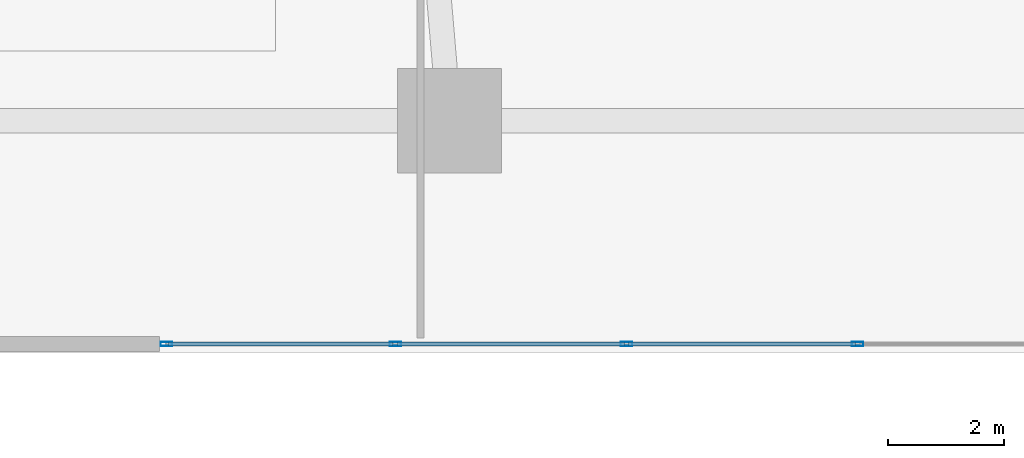
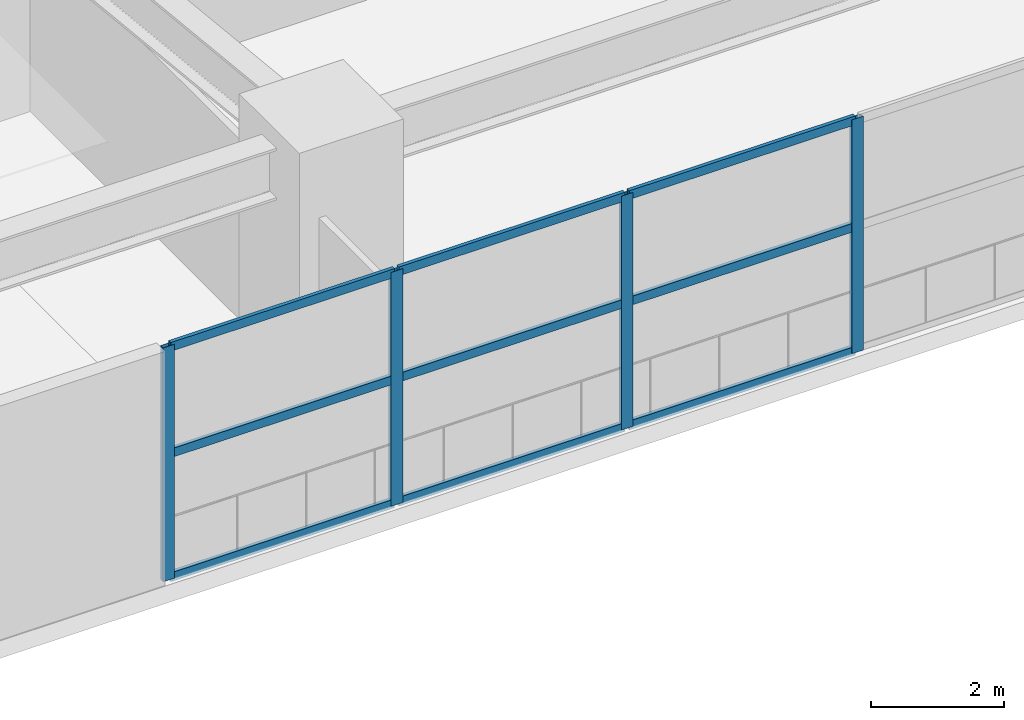
# One storey, part 2 of 20: 13 members, 1 element without a shape of its own.
"""IFC4 building model written with IfcOpenShell, lengths in metres."""

from ifc_helpers import new_model, si_unit, direction, frame, origin, origin_2d, place, context, subcontext, project, spatial, hollow_rectangle, extrude, material, layer, layer_set, material_profile, profile_set, type_object, element, aggregate, save


model = new_model("IFC4")

# Units and contexts
model_context = context("Model", 3, precision=1e-05, world=origin(), true_north=direction((0.0, 1.0)))
body_context = subcontext(model_context, "Body", "Model", "MODEL_VIEW")
ifc_project = project(units=[si_unit("LENGTHUNIT", "METRE"), si_unit("AREAUNIT", "SQUARE_METRE"), si_unit("VOLUMEUNIT", "CUBIC_METRE"), si_unit("PLANEANGLEUNIT", "RADIAN"), si_unit("MASSUNIT", "GRAM", prefix="KILO")], contexts=[model_context])

# Site, building, storey
site_placement = place(None, origin())
site = spatial("IfcSite", under=ifc_project, at=site_placement, CompositionType="ELEMENT")
building_placement = place(site_placement, origin())
building = spatial("IfcBuilding", under=site, at=building_placement, Name="Solvane Sanctuary Tower", CompositionType="ELEMENT")
storey_placement = place(building_placement, frame((0.0, 0.0, 9.199951171875)))
storey = spatial("IfcBuildingStorey", under=building, at=storey_placement, Name="L03", CompositionType="ELEMENT", Elevation=9.199951171875)

# Curtain wall, members
ifc_material = material(Name="Anodised Aluminium 6063-T6", Category="aluminium")
ifc_layer = layer(ifc_material, 0.159912109375, Name="Anodised Aluminium 6063-T6")
ifc_layer_set = layer_set([ifc_layer], Name="Anodised Aluminium 6063-T6")
curtain_wall_type = type_object("IfcCurtainWallType", Name="Curtain Wall CW-POD", PredefinedType="NOTDEFINED", material=ifc_layer_set)
curtain_wall_placement = place(storey_placement, origin())
curtain_wall = element("IfcCurtainWall", 1, at=curtain_wall_placement, inside=storey, type_object=curtain_wall_type, Name="L03 Sanctuary Curtain Wall S2", PredefinedType="NOTDEFINED")
ifc_material_profile_1 = material_profile(ifc_material, hollow_rectangle(XDim=0.074951171875, YDim=0.199951171875, WallThickness=0.00390625, at=origin_2d()), Name="ALU200X75X4")
ifc_profile_set_1 = profile_set([ifc_material_profile_1], Name="Anodised Aluminium 6063-T6")
member_type_1 = type_object("IfcMemberType", Name="Member M-CW-MUL-1 ALU200X75X4", PredefinedType="MULLION", material=ifc_profile_set_1)
member_1_placement = place(storey_placement, frame((20.117431640625, 0.14990234375, 0.0), z_axis=(0.0, 0.0, 1.0), x_axis=(0.0, 1.0, 0.0)))
member_1 = element("IfcMember", 2, at=member_1_placement, type_object=member_type_1, Name="CW-POD mullion 1", PredefinedType="MULLION", context=body_context, shape_type="SweptSolid", body=[
    extrude(hollow_rectangle(XDim=0.074951171875, YDim=0.199951171875, WallThickness=0.00390625, at=origin_2d()), origin(), (0.0, 0.0, 1.0), 4.280029296875),
])
member_2_placement = place(storey_placement, frame((24.066650390625, 0.14990234375, 0.0), z_axis=(0.0, 0.0, 1.0), x_axis=(0.0, 1.0, 0.0)))
member_2 = element("IfcMember", 3, at=member_2_placement, type_object=member_type_1, Name="CW-POD mullion 2", PredefinedType="MULLION", context=body_context, shape_type="SweptSolid", body=[
    extrude(hollow_rectangle(XDim=0.074951171875, YDim=0.199951171875, WallThickness=0.00390625, at=origin_2d()), origin(), (0.0, 0.0, 1.0), 4.280029296875),
])
member_3_placement = place(storey_placement, frame((28.05322265625, 0.14990234375, 0.0), z_axis=(0.0, 0.0, 1.0), x_axis=(0.0, 1.0, 0.0)))
member_3 = element("IfcMember", 4, at=member_3_placement, type_object=member_type_1, Name="CW-POD mullion 3", PredefinedType="MULLION", context=body_context, shape_type="SweptSolid", body=[
    extrude(hollow_rectangle(XDim=0.074951171875, YDim=0.199951171875, WallThickness=0.00390625, at=origin_2d()), origin(), (0.0, 0.0, 1.0), 4.280029296875),
])
member_4_placement = place(storey_placement, frame((32.0400390625, 0.14990234375, 0.0), z_axis=(0.0, 0.0, 1.0), x_axis=(0.0, 1.0, 0.0)))
member_4 = element("IfcMember", 5, at=member_4_placement, type_object=member_type_1, Name="CW-POD mullion 4", PredefinedType="MULLION", context=body_context, shape_type="SweptSolid", body=[
    extrude(hollow_rectangle(XDim=0.074951171875, YDim=0.199951171875, WallThickness=0.00390625, at=origin_2d()), origin(), (0.0, 0.0, 1.0), 4.280029296875),
])
ifc_material_profile_2 = material_profile(ifc_material, hollow_rectangle(XDim=0.06494140625, YDim=0.159912109375, WallThickness=0.00341796875, at=origin_2d()), Name="ALU160X65X3.5")
ifc_profile_set_2 = profile_set([ifc_material_profile_2], Name="Anodised Aluminium 6063-T6")
member_type_2 = type_object("IfcMemberType", Name="Member M-CW-TRN-1 ALU160X65X3.5", PredefinedType="USERDEFINED", material=ifc_profile_set_2)
member_5_placement = place(storey_placement, frame((20.155029296875, 0.14990234375, 0.032470703125), z_axis=(1.0, 0.0, 0.0), x_axis=(0.0, 1.0, 0.0)))
member_5 = element("IfcMember", 6, at=member_5_placement, type_object=member_type_2, Name="CW-POD transom 1.1", ObjectType="TRANSOM", PredefinedType="USERDEFINED", context=body_context, shape_type="SweptSolid", body=[
    extrude(hollow_rectangle(XDim=0.06494140625, YDim=0.159912109375, WallThickness=0.00341796875, at=origin_2d()), origin(), (0.0, 0.0, 1.0), 3.8740234375),
])
member_6_placement = place(storey_placement, frame((20.155029296875, 0.14990234375, 2.300048828125), z_axis=(1.0, 0.0, 0.0), x_axis=(0.0, 1.0, 0.0)))
member_6 = element("IfcMember", 7, at=member_6_placement, type_object=member_type_2, Name="CW-POD transom 1.2", ObjectType="TRANSOM", PredefinedType="USERDEFINED", context=body_context, shape_type="SweptSolid", body=[
    extrude(hollow_rectangle(XDim=0.06494140625, YDim=0.159912109375, WallThickness=0.00341796875, at=origin_2d()), origin(), (0.0, 0.0, 1.0), 3.8740234375),
])
member_7_placement = place(storey_placement, frame((20.155029296875, 0.14990234375, 4.24755859375), z_axis=(1.0, 0.0, 0.0), x_axis=(0.0, 1.0, 0.0)))
member_7 = element("IfcMember", 8, at=member_7_placement, type_object=member_type_2, Name="CW-POD transom 1.3", ObjectType="TRANSOM", PredefinedType="USERDEFINED", context=body_context, shape_type="SweptSolid", body=[
    extrude(hollow_rectangle(XDim=0.06494140625, YDim=0.159912109375, WallThickness=0.00341796875, at=origin_2d()), origin(), (0.0, 0.0, 1.0), 3.8740234375),
])
member_8_placement = place(storey_placement, frame((24.104248046875, 0.14990234375, 0.032470703125), z_axis=(1.0, 0.0, 0.0), x_axis=(0.0, 1.0, 0.0)))
member_8 = element("IfcMember", 9, at=member_8_placement, type_object=member_type_2, Name="CW-POD transom 2.1", ObjectType="TRANSOM", PredefinedType="USERDEFINED", context=body_context, shape_type="SweptSolid", body=[
    extrude(hollow_rectangle(XDim=0.06494140625, YDim=0.159912109375, WallThickness=0.00341796875, at=origin_2d()), origin(), (0.0, 0.0, 1.0), 3.91162109375),
])
member_9_placement = place(storey_placement, frame((24.104248046875, 0.14990234375, 2.300048828125), z_axis=(1.0, 0.0, 0.0), x_axis=(0.0, 1.0, 0.0)))
member_9 = element("IfcMember", 10, at=member_9_placement, type_object=member_type_2, Name="CW-POD transom 2.2", ObjectType="TRANSOM", PredefinedType="USERDEFINED", context=body_context, shape_type="SweptSolid", body=[
    extrude(hollow_rectangle(XDim=0.06494140625, YDim=0.159912109375, WallThickness=0.00341796875, at=origin_2d()), origin(), (0.0, 0.0, 1.0), 3.91162109375),
])
member_10_placement = place(storey_placement, frame((24.104248046875, 0.14990234375, 4.24755859375), z_axis=(1.0, 0.0, 0.0), x_axis=(0.0, 1.0, 0.0)))
member_10 = element("IfcMember", 11, at=member_10_placement, type_object=member_type_2, Name="CW-POD transom 2.3", ObjectType="TRANSOM", PredefinedType="USERDEFINED", context=body_context, shape_type="SweptSolid", body=[
    extrude(hollow_rectangle(XDim=0.06494140625, YDim=0.159912109375, WallThickness=0.00341796875, at=origin_2d()), origin(), (0.0, 0.0, 1.0), 3.91162109375),
])
member_11_placement = place(storey_placement, frame((28.0908203125, 0.14990234375, 0.032470703125), z_axis=(1.0, 0.0, 0.0), x_axis=(0.0, 1.0, 0.0)))
member_11 = element("IfcMember", 12, at=member_11_placement, type_object=member_type_2, Name="CW-POD transom 3.1", ObjectType="TRANSOM", PredefinedType="USERDEFINED", context=body_context, shape_type="SweptSolid", body=[
    extrude(hollow_rectangle(XDim=0.06494140625, YDim=0.159912109375, WallThickness=0.00341796875, at=origin_2d()), origin(), (0.0, 0.0, 1.0), 3.91162109375),
])
member_12_placement = place(storey_placement, frame((28.0908203125, 0.14990234375, 2.300048828125), z_axis=(1.0, 0.0, 0.0), x_axis=(0.0, 1.0, 0.0)))
member_12 = element("IfcMember", 13, at=member_12_placement, type_object=member_type_2, Name="CW-POD transom 3.2", ObjectType="TRANSOM", PredefinedType="USERDEFINED", context=body_context, shape_type="SweptSolid", body=[
    extrude(hollow_rectangle(XDim=0.06494140625, YDim=0.159912109375, WallThickness=0.00341796875, at=origin_2d()), origin(), (0.0, 0.0, 1.0), 3.91162109375),
])
member_13_placement = place(storey_placement, frame((28.0908203125, 0.14990234375, 4.24755859375), z_axis=(1.0, 0.0, 0.0), x_axis=(0.0, 1.0, 0.0)))
member_13 = element("IfcMember", 14, at=member_13_placement, type_object=member_type_2, Name="CW-POD transom 3.3", ObjectType="TRANSOM", PredefinedType="USERDEFINED", context=body_context, shape_type="SweptSolid", body=[
    extrude(hollow_rectangle(XDim=0.06494140625, YDim=0.159912109375, WallThickness=0.00341796875, at=origin_2d()), origin(), (0.0, 0.0, 1.0), 3.91162109375),
])
aggregate(curtain_wall, [member_1, member_2, member_3, member_4, member_5, member_6, member_7, member_8, member_9, member_10, member_11, member_12, member_13])

save(model, "model.ifc")
